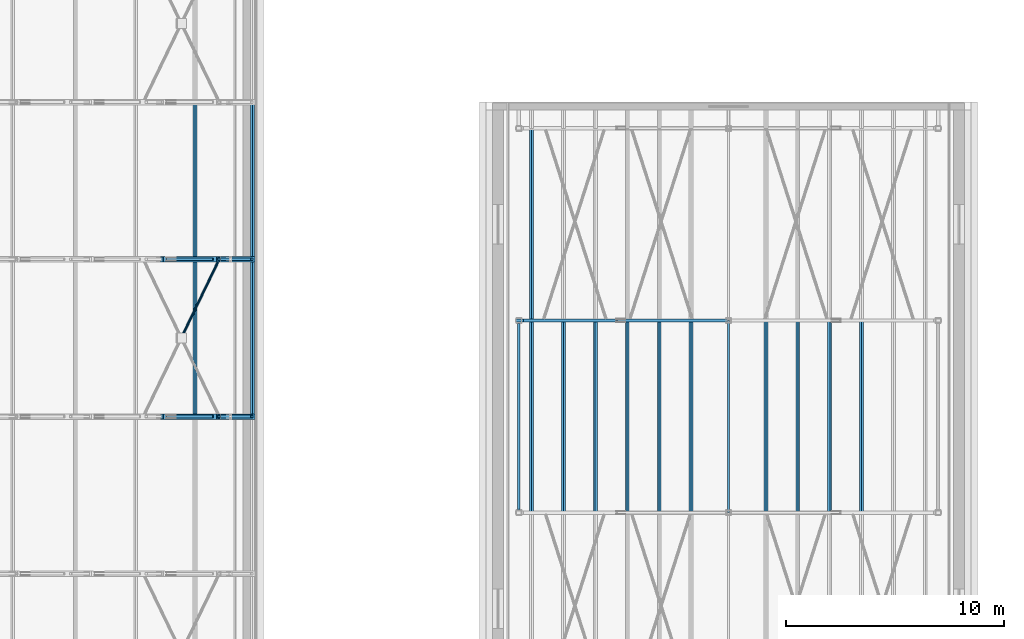
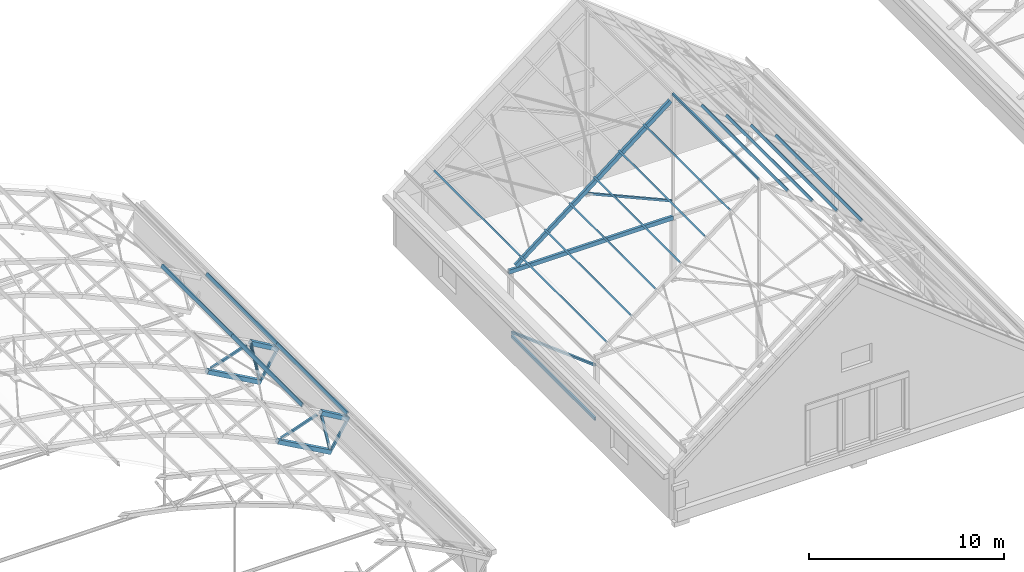
# One storey, part 35 of 127: 30 members, 2 beams.
"""IFC4 building model written with IfcOpenShell, lengths in metres."""

from ifc_helpers import new_model, si_unit, direction, frame, origin, origin_2d, place, context, subcontext, project, spatial, hollow_rectangle, hollow_circle, extrude, material, material_profile, profile_set, type_object, element, save


model = new_model("IFC4")

# Units and contexts
model_context = context("Model", 3, precision=1e-05, world=origin(), true_north=direction((0.0, 1.0)))
body_context = subcontext(model_context, "Body", "Model", "MODEL_VIEW")
ifc_project = project(units=[si_unit("LENGTHUNIT", "METRE"), si_unit("AREAUNIT", "SQUARE_METRE"), si_unit("VOLUMEUNIT", "CUBIC_METRE"), si_unit("PLANEANGLEUNIT", "RADIAN"), si_unit("MASSUNIT", "GRAM", prefix="KILO")], contexts=[model_context])

# Site, building, storey
site_placement = place(None, origin())
site = spatial("IfcSite", under=ifc_project, at=site_placement, CompositionType="ELEMENT")
building_placement = place(site_placement, origin())
building = spatial("IfcBuilding", under=site, at=building_placement, Name="Verrick Yard Athletic Hall", CompositionType="ELEMENT")
storey_placement = place(building_placement, frame((0.0, 0.0, 14.0)))
storey = spatial("IfcBuildingStorey", under=building, at=storey_placement, Name="L03", CompositionType="ELEMENT", Elevation=14.0)

# Members
ifc_material = material(Name="Structural steel HSS Class C 350W (CSA G40.20/G40.21)", Category="steel")
ifc_material_profile_1 = material_profile(ifc_material, hollow_rectangle(XDim=0.25390625, YDim=0.25390625, WallThickness=0.009521484375, at=origin_2d()), Name="HSS254x254x9.5")
ifc_profile_set_1 = profile_set([ifc_material_profile_1], Name="Structural steel HSS Class C 350W (CSA G40.20/G40.21)")
member_type_1 = type_object("IfcMemberType", Name="HB bottom chord HSS254x254x9.5", PredefinedType="CHORD", material=ifc_profile_set_1)
for number, where, z_axis, x_axis, name in (
    (1, (72.856689453125, 86.39990234375, 1.757080078125), (0.872881488331, 0.0, -0.4879322774), (0.0, 1.0, 0.0), "Truss TB3 bottom chord 14"),
    (2, (72.856689453125, 93.60009765625, 1.757080078125), (0.872881488331, 0.0, -0.4879322774), (0.0, 1.0, 0.0), "Truss TB4 bottom chord 14"),
):
    element("IfcMember", number, at=place(storey_placement, frame(where, z_axis=z_axis, x_axis=x_axis)), inside=storey, type_object=member_type_1, Name=name, PredefinedType="CHORD", context=body_context, shape_type="SweptSolid", body=[
        extrude(hollow_rectangle(XDim=0.25390625, YDim=0.25390625, WallThickness=0.009521484375, at=origin_2d()), origin(), (0.0, 0.0, 1.0), 3.60107421875),
    ])

# Beam
ifc_material_profile_2 = material_profile(ifc_material, hollow_rectangle(XDim=0.1015625, YDim=0.203125, WallThickness=0.009521484375, at=origin_2d()), Name="HSS203x102x9.5")
ifc_profile_set_2 = profile_set([ifc_material_profile_2], Name="Structural steel HSS Class C 350W (CSA G40.20/G40.21)")
beam_type_1 = type_object("IfcBeamType", Name="HB eaves girt HSS203x102x9.5", PredefinedType="BEAM", material=ifc_profile_set_2)
beam_1_placement = place(storey_placement, frame((89.199951171875, 82.126953125, 0.0), z_axis=(0.0, 1.0, 0.0), x_axis=(-1.0, 0.0, 0.0)))
element("IfcBeam", 3, at=beam_1_placement, inside=storey, type_object=beam_type_1, Name="HB-GT-CW-L03", PredefinedType="BEAM", context=body_context, shape_type="SweptSolid", body=[
    extrude(hollow_rectangle(XDim=0.1015625, YDim=0.203125, WallThickness=0.009521484375, at=origin_2d()), origin(), (0.0, 0.0, 1.0), 8.546142578125),
])

# Members
ifc_material_profile_3 = material_profile(ifc_material, hollow_rectangle(XDim=0.1015625, YDim=0.203125, WallThickness=0.009521484375, at=origin_2d()), Name="HSS203x102x9.5")
ifc_profile_set_3 = profile_set([ifc_material_profile_3], Name="Structural steel HSS Class C 350W (CSA G40.20/G40.21)")
member_type_2 = type_object("IfcMemberType", Name="HB purlin HSS203x102x9.5", PredefinedType="PURLIN", material=ifc_profile_set_3)
for number, where, z_axis, x_axis, name in (
    (4, (74.365234375, 86.39990234375, 3.44873046875), (0.0, 1.0, 0.0), (-0.891352741199, 0.0, 0.453310369126), "HB-PU-B-3-17"),
    (5, (77.003173828125, 86.39990234375, 1.99462890625), (0.0, 1.0, 0.0), (-0.86316809178, 0.0, 0.504916671673), "HB-PU-B-3-18"),
):
    element("IfcMember", number, at=place(storey_placement, frame(where, z_axis=z_axis, x_axis=x_axis)), inside=storey, type_object=member_type_2, Name=name, PredefinedType="PURLIN", context=body_context, shape_type="SweptSolid", body=[
        extrude(hollow_rectangle(XDim=0.1015625, YDim=0.203125, WallThickness=0.009521484375, at=origin_2d()), origin(), (0.0, 0.0, 1.0), 7.2001953125),
    ])
for number, where, z_axis, x_axis, name in (
    (6, (74.365234375, 93.60009765625, 3.44873046875), (0.0, 1.0, 0.0), (-0.891352741199, 0.0, 0.453310369126), "HB-PU-B-4-17"),
    (7, (77.003173828125, 93.60009765625, 1.99462890625), (0.0, 1.0, 0.0), (-0.86316809178, 0.0, 0.504916671673), "HB-PU-B-4-18"),
):
    element("IfcMember", number, at=place(storey_placement, frame(where, z_axis=z_axis, x_axis=x_axis)), inside=storey, type_object=member_type_2, Name=name, PredefinedType="PURLIN", context=body_context, shape_type="SweptSolid", body=[
        extrude(hollow_rectangle(XDim=0.1015625, YDim=0.203125, WallThickness=0.009521484375, at=origin_2d()), origin(), (0.0, 0.0, 1.0), 7.199951171875),
    ])
ifc_material_profile_4 = material_profile(ifc_material, hollow_rectangle(XDim=0.15234375, YDim=0.25390625, WallThickness=0.009521484375, at=origin_2d()), Name="HSS254x152x9.5")
ifc_profile_set_4 = profile_set([ifc_material_profile_4], Name="Structural steel HSS Class C 350W (CSA G40.20/G40.21)")
member_type_3 = type_object("IfcMemberType", Name="HB rafter HSS254x152x9.5", PredefinedType="RAFTER", material=ifc_profile_set_4)
member_1_placement = place(storey_placement, frame((89.4921875, 90.800048828125, 4.216552734375), z_axis=(0.789344281907, 0.0, 0.613950816125), x_axis=(0.0, 1.0, 0.0)))
element("IfcMember", 8, at=member_1_placement, inside=storey, type_object=member_type_3, Name="HB-RF-3W", PredefinedType="RAFTER", context=body_context, shape_type="SweptSolid", body=[
    extrude(hollow_rectangle(XDim=0.15234375, YDim=0.25390625, WallThickness=0.009521484375, at=origin_2d()), origin(), (0.0, 0.0, 1.0), 11.596435546875),
])
ifc_material_profile_5 = material_profile(ifc_material, hollow_circle(Radius=0.05712890625, WallThickness=0.00634765625, at=origin_2d()), Name="HSS114x6.4")
ifc_profile_set_5 = profile_set([ifc_material_profile_5], Name="Structural steel HSS Class C 350W (CSA G40.20/G40.21)")
member_type_4 = type_object("IfcMemberType", Name="HB roof brace HSS114x6.4", PredefinedType="BRACE", material=ifc_profile_set_5)
member_2_placement = place(storey_placement, frame((73.786865234375, 90.0927734375, 3.486328125), z_axis=(0.424607122794, 0.879253008538, -0.215923454607), x_axis=(-0.900495431236, 0.434865471524, 0.0)))
element("IfcMember", 9, at=member_2_placement, inside=storey, type_object=member_type_4, Name="HB-BR-B-3-12b2", PredefinedType="BRACE", context=body_context, shape_type="SweptSolid", body=[
    extrude(hollow_circle(Radius=0.05712890625, WallThickness=0.00634765625, at=origin_2d()), origin(), (0.0, 0.0, 1.0), 3.84423828125),
])
ifc_material_profile_6 = material_profile(ifc_material, hollow_rectangle(XDim=0.1015625, YDim=0.15234375, WallThickness=0.008056640625, at=origin_2d()), Name="HSS152x102x7.9")
ifc_profile_set_6 = profile_set([ifc_material_profile_6], Name="Structural steel HSS Class C 350W (CSA G40.20/G40.21)")
member_type_5 = type_object("IfcMemberType", Name="HB roof purlin HSS152x102x7.9", PredefinedType="PURLIN", material=ifc_profile_set_6)
for number, where, z_axis, x_axis, name in (
    (10, (89.78564453125, 82.0, 4.702392578125), (0.0, 1.0, 0.0), (-0.789352213638, 0.0, -0.613940618322), "HB-PU-C-W1-3"),
    (11, (89.78564453125, 90.800048828125, 4.702392578125), (0.0, 1.0, 0.0), (-0.789352213638, 0.0, -0.613940618322), "HB-PU-C-W1-4"),
    (12, (91.245849609375, 82.0, 5.838134765625), (0.0, 1.0, 0.0), (-0.789352213638, 0.0, -0.613940618322), "HB-PU-C-W2-3"),
    (13, (92.706298828125, 82.0, 6.973876953125), (0.0, 1.0, 0.0), (-0.789352213638, 0.0, -0.613940618322), "HB-PU-C-W3-3"),
    (14, (94.16650390625, 82.0, 8.109619140625), (0.0, 1.0, 0.0), (-0.789352213638, 0.0, -0.613940618322), "HB-PU-C-W4-3"),
    (15, (95.626953125, 82.0, 9.245361328125), (0.0, 1.0, 0.0), (-0.789352213638, 0.0, -0.613940618322), "HB-PU-C-W5-3"),
    (16, (97.087158203125, 82.0, 10.38134765625), (0.0, 1.0, 0.0), (-0.789352213638, 0.0, -0.613940618322), "HB-PU-C-W6-3"),
    (17, (104.893798828125, 82.0, 6.973876953125), (0.0, 1.0, 0.0), (-0.789352213638, 0.0, 0.613940618322), "HB-PU-C-E3-3"),
    (18, (103.433349609375, 82.0, 8.109619140625), (0.0, 1.0, 0.0), (-0.789352213638, 0.0, 0.613940618322), "HB-PU-C-E4-3"),
    (19, (101.97314453125, 82.0, 9.245361328125), (0.0, 1.0, 0.0), (-0.789352213638, 0.0, 0.613940618322), "HB-PU-C-E5-3"),
    (20, (100.512939453125, 82.0, 10.38134765625), (0.0, 1.0, 0.0), (-0.789352213638, 0.0, 0.613940618322), "HB-PU-C-E6-3"),
    (21, (98.800048828125, 82.0, 11.69384765625), (0.0, 1.0, 0.0), (-1.0, 0.0, 0.0), "HB-PU-C-R-3"),
):
    element("IfcMember", number, at=place(storey_placement, frame(where, z_axis=z_axis, x_axis=x_axis)), inside=storey, type_object=member_type_5, Name=name, PredefinedType="PURLIN", context=body_context, shape_type="SweptSolid", body=[
        extrude(hollow_rectangle(XDim=0.1015625, YDim=0.15234375, WallThickness=0.008056640625, at=origin_2d()), origin(), (0.0, 0.0, 1.0), 8.800048828125),
    ])
ifc_material_profile_7 = material_profile(ifc_material, hollow_rectangle(XDim=0.126953125, YDim=0.126953125, WallThickness=0.009521484375, at=origin_2d()), Name="HSS127x127x9.5")
ifc_profile_set_7 = profile_set([ifc_material_profile_7], Name="Structural steel HSS Class C 350W (CSA G40.20/G40.21)")
member_type_6 = type_object("IfcMemberType", Name="HB roof strut HSS127x127x9.5", PredefinedType="STRUT", material=ifc_profile_set_7)
member_3_placement = place(storey_placement, frame((98.6982421875, 90.800048828125, 5.061279296875), z_axis=(-0.914681627435, 0.0, 0.4041751111), x_axis=(0.0, -1.0, 0.0)))
element("IfcMember", 22, at=member_3_placement, inside=storey, type_object=member_type_6, Name="HB-RS-3W", PredefinedType="STRUT", context=body_context, shape_type="SweptSolid", body=[
    extrude(hollow_rectangle(XDim=0.126953125, YDim=0.126953125, WallThickness=0.009521484375, at=origin_2d()), origin(), (0.0, 0.0, 1.0), 5.48291015625),
])

# Beam
ifc_material_profile_8 = material_profile(ifc_material, hollow_rectangle(XDim=0.15234375, YDim=0.25390625, WallThickness=0.009521484375, at=origin_2d()), Name="HSS254x152x9.5")
ifc_profile_set_8 = profile_set([ifc_material_profile_8], Name="Structural steel HSS Class C 350W (CSA G40.20/G40.21)")
beam_type_2 = type_object("IfcBeamType", Name="HB roof tie HSS254x152x9.5", PredefinedType="BEAM", material=ifc_profile_set_8)
beam_2_placement = place(storey_placement, frame((89.072998046875, 90.800048828125, 3.9892578125), z_axis=(1.0, 0.0, 0.0), x_axis=(0.0, 1.0, 0.0)))
element("IfcBeam", 23, at=beam_2_placement, inside=storey, type_object=beam_type_2, Name="HB-RT-3W", PredefinedType="BEAM", context=body_context, shape_type="SweptSolid", body=[
    extrude(hollow_rectangle(XDim=0.15234375, YDim=0.25390625, WallThickness=0.009521484375, at=origin_2d()), origin(), (0.0, 0.0, 1.0), 9.72705078125),
])

# Members
ifc_material_profile_9 = material_profile(ifc_material, hollow_rectangle(XDim=0.25390625, YDim=0.25390625, WallThickness=0.009521484375, at=origin_2d()), Name="HSS254x254x9.5")
ifc_profile_set_9 = profile_set([ifc_material_profile_9], Name="Structural steel HSS Class C 350W (CSA G40.20/G40.21)")
member_type_7 = type_object("IfcMemberType", Name="HB top chord HSS254x254x9.5", PredefinedType="CHORD", material=ifc_profile_set_9)
for number, where, z_axis, x_axis, name in (
    (24, (75.42236328125, 86.39990234375, 2.654541015625), (0.863174775639, 0.0, -0.504905245269), (0.0, 1.0, 0.0), "Truss TB3 top chord 15"),
    (25, (75.42236328125, 93.60009765625, 2.654541015625), (0.863174775639, 0.0, -0.504905245269), (0.0, 1.0, 0.0), "Truss TB4 top chord 15"),
):
    element("IfcMember", number, at=place(storey_placement, frame(where, z_axis=z_axis, x_axis=x_axis)), inside=storey, type_object=member_type_7, Name=name, PredefinedType="CHORD", context=body_context, shape_type="SweptSolid", body=[
        extrude(hollow_rectangle(XDim=0.25390625, YDim=0.25390625, WallThickness=0.009521484375, at=origin_2d()), origin(), (0.0, 0.0, 1.0), 1.878173828125),
    ])
ifc_material_profile_10 = material_profile(ifc_material, hollow_rectangle(XDim=0.126953125, YDim=0.126953125, WallThickness=0.009521484375, at=origin_2d()), Name="HSS127x127x9.5")
ifc_profile_set_10 = profile_set([ifc_material_profile_10], Name="Structural steel HSS Class C 350W (CSA G40.20/G40.21)")
member_type_8 = type_object("IfcMemberType", Name="HB truss end post HSS127x127x9.5", PredefinedType="POST", material=ifc_profile_set_10)
for number, where, z_axis, x_axis, name in (
    (26, (76.067626953125, 86.39990234375, 0.110595703125), (0.521773101112, 0.0, 0.853084304718), (0.0, 1.0, 0.0), "Truss TB3 end post 2"),
    (27, (76.067626953125, 93.60009765625, 0.110595703125), (0.521773101112, 0.0, 0.853084304718), (0.0, 1.0, 0.0), "Truss TB4 end post 2"),
):
    element("IfcMember", number, at=place(storey_placement, frame(where, z_axis=z_axis, x_axis=x_axis)), inside=storey, type_object=member_type_8, Name=name, PredefinedType="POST", context=body_context, shape_type="SweptSolid", body=[
        extrude(hollow_rectangle(XDim=0.126953125, YDim=0.126953125, WallThickness=0.009521484375, at=origin_2d()), origin(), (0.0, 0.0, 1.0), 1.741943359375),
    ])
ifc_material_profile_11 = material_profile(ifc_material, hollow_rectangle(XDim=0.126953125, YDim=0.126953125, WallThickness=0.009521484375, at=origin_2d()), Name="HSS127x127x9.5")
ifc_profile_set_11 = profile_set([ifc_material_profile_11], Name="Structural steel HSS Class C 350W (CSA G40.20/G40.21)")
member_type_9 = type_object("IfcMemberType", Name="HB truss web HSS127x127x9.5", PredefinedType="BRACE", material=ifc_profile_set_11)
member_4_placement = place(storey_placement, frame((73.087158203125, 86.39990234375, 1.841552734375), z_axis=(0.944015035532, 0.0, 0.329902429045), x_axis=(0.0, 1.0, 0.0)))
element("IfcMember", 28, at=member_4_placement, inside=storey, type_object=member_type_9, Name="Truss TB3 web 27", PredefinedType="BRACE", context=body_context, shape_type="SweptSolid", body=[
    extrude(hollow_rectangle(XDim=0.126953125, YDim=0.126953125, WallThickness=0.009521484375, at=origin_2d()), origin(), (0.0, 0.0, 1.0), 2.2333984375),
])
member_5_placement = place(storey_placement, frame((75.468505859375, 86.39990234375, 2.430419921875), z_axis=(0.213603528569, 0.0, -0.976920433087), x_axis=(0.0, 1.0, 0.0)))
element("IfcMember", 29, at=member_5_placement, inside=storey, type_object=member_type_9, Name="Truss end diagonal TB3-28", PredefinedType="BRACE", context=body_context, shape_type="SweptSolid", body=[
    extrude(hollow_rectangle(XDim=0.126953125, YDim=0.126953125, WallThickness=0.009521484375, at=origin_2d()), origin(), (0.0, 0.0, 1.0), 2.261962890625),
])
member_6_placement = place(storey_placement, frame((73.087158203125, 93.60009765625, 1.841552734375), z_axis=(0.944015035532, 0.0, 0.329902429045), x_axis=(0.0, 1.0, 0.0)))
element("IfcMember", 30, at=member_6_placement, inside=storey, type_object=member_type_9, Name="Truss TB4 web 27", PredefinedType="BRACE", context=body_context, shape_type="SweptSolid", body=[
    extrude(hollow_rectangle(XDim=0.126953125, YDim=0.126953125, WallThickness=0.009521484375, at=origin_2d()), origin(), (0.0, 0.0, 1.0), 2.2333984375),
])
member_7_placement = place(storey_placement, frame((75.468505859375, 93.60009765625, 2.430419921875), z_axis=(0.213603528569, 0.0, -0.976920433087), x_axis=(0.0, 1.0, 0.0)))
element("IfcMember", 31, at=member_7_placement, inside=storey, type_object=member_type_9, Name="Truss end diagonal TB4-28", PredefinedType="BRACE", context=body_context, shape_type="SweptSolid", body=[
    extrude(hollow_rectangle(XDim=0.126953125, YDim=0.126953125, WallThickness=0.009521484375, at=origin_2d()), origin(), (0.0, 0.0, 1.0), 2.261962890625),
])
ifc_material_profile_12 = material_profile(ifc_material, hollow_rectangle(XDim=0.126953125, YDim=0.126953125, WallThickness=0.009521484375, at=origin_2d()), Name="HSS127x127x9.5")
ifc_profile_set_12 = profile_set([ifc_material_profile_12], Name="Structural steel HSS Class C 350W (CSA G40.20/G40.21)")
member_type_10 = type_object("IfcMemberType", Name="HB wall brace HSS127x127x9.5", PredefinedType="BRACE", material=ifc_profile_set_12)
member_8_placement = place(storey_placement, frame((89.199951171875, 82.148681640625, 3.3544921875), z_axis=(0.0, 0.939683873779, -0.342044174574), x_axis=(-1.0, 0.0, 0.0)))
element("IfcMember", 32, at=member_8_placement, inside=storey, type_object=member_type_10, Name="HB-BRW-CW-L03", PredefinedType="BRACE", context=body_context, shape_type="SweptSolid", body=[
    extrude(hollow_rectangle(XDim=0.126953125, YDim=0.126953125, WallThickness=0.009521484375, at=origin_2d()), origin(), (0.0, 0.0, 1.0), 9.04833984375),
])

save(model, "model.ifc")
